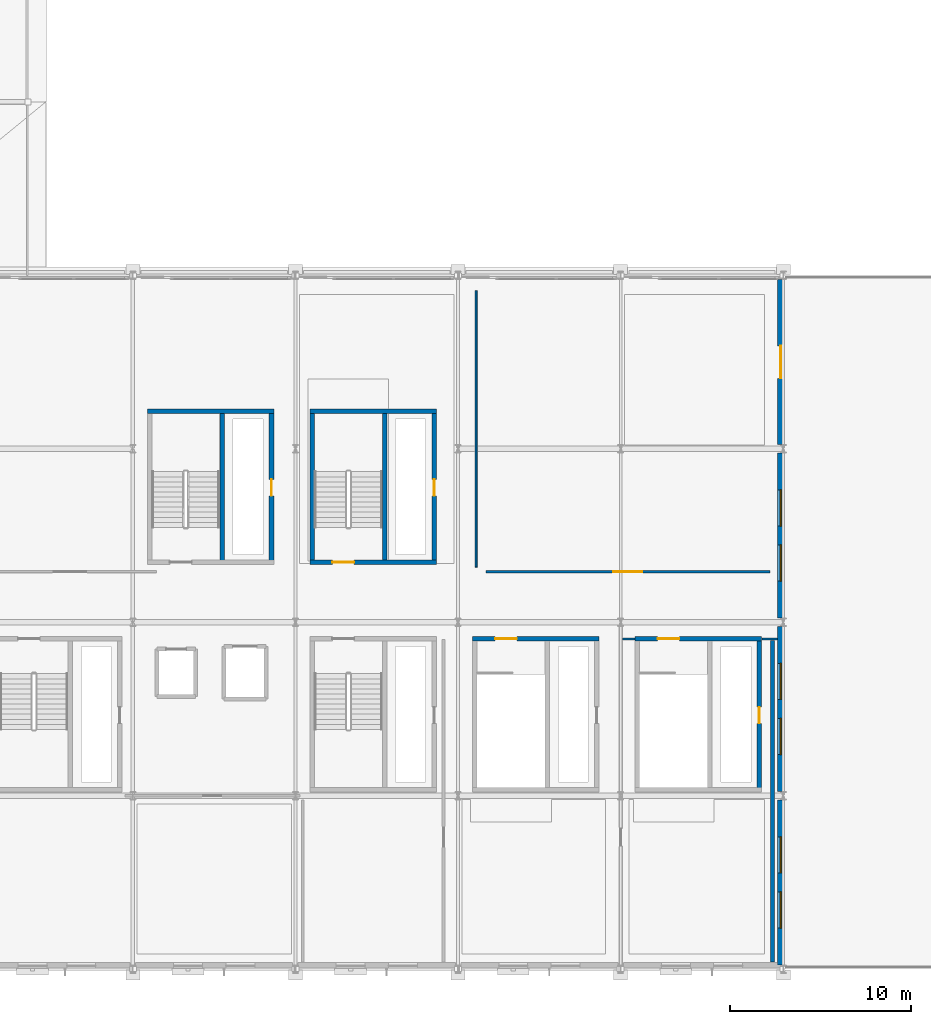
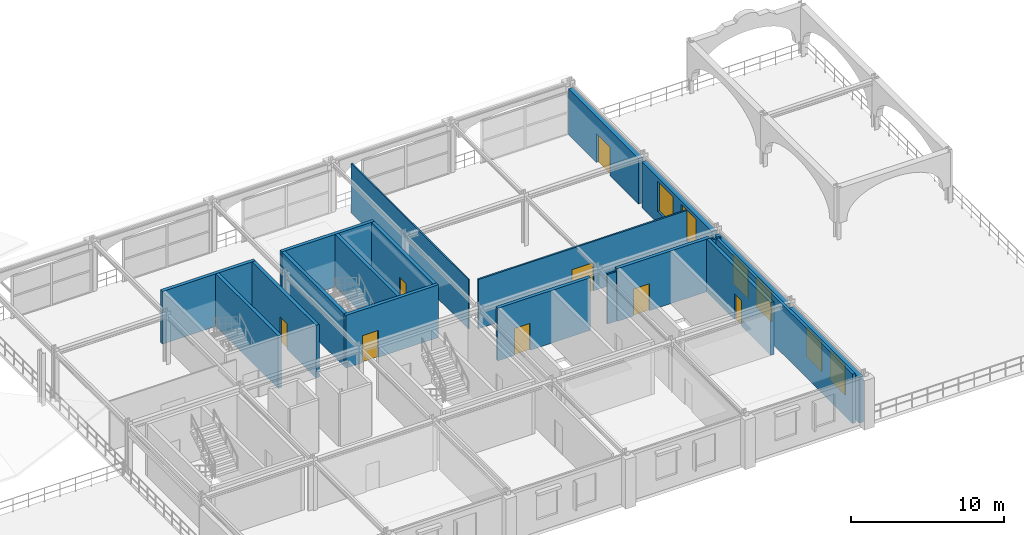
# One storey, part 50 of 81: 20 walls, 8 doors, 6 windows, 14 openings.
"""IFC4 building model written with IfcOpenShell, lengths in metres."""

import ifcopenshell
import ifcopenshell.guid

model = None  # the IFC model being written
_history = None  # IfcOwnerHistory: only IFC2X3 demands one
_inside = {}  # id of a spatial element -> (the spatial element, [elements in it])
_under = {}  # id of a project, library or spatial element -> (it, [spatial elements below it])
_declared = {}  # id of a project -> (the project, [libraries it declares])
_typed = {}  # id of a type object -> (the type object, [elements of that type])
_made_of = {}  # id of a material, layer set ... -> (it, [elements and type objects made of it])


def new_model(schema):
    """Start an empty IFC model of exactly this schema.

    Asked for "IFC4X3", IfcOpenShell would pick the latest addendum, in which some entities
    have other attributes; the version numbers below select the first issue.
    IFC2X3 requires an IfcOwnerHistory on every rooted entity: one is made here for all.
    """
    global model, _history
    if schema == "IFC4X3":
        model = ifcopenshell.file(schema_version=(4, 3, 0, 0))
    else:
        model = ifcopenshell.file(schema=schema)
    _inside.clear()
    _under.clear()
    _declared.clear()
    _typed.clear()
    _made_of.clear()
    _history = None
    if model.schema == "IFC2X3":
        org = make("IfcOrganization", Name="unknown")
        user = make(
            "IfcPersonAndOrganization",
            ThePerson=make("IfcPerson", FamilyName="unknown"),
            TheOrganization=org,
        )
        app = make(
            "IfcApplication",
            ApplicationDeveloper=org,
            Version="unknown",
            ApplicationFullName="unknown",
            ApplicationIdentifier="unknown",
        )
        _history = make(
            "IfcOwnerHistory",
            OwningUser=user,
            OwningApplication=app,
            ChangeAction="ADDED",
            CreationDate=0,
        )
    return model


def make(cls, **values):
    """One entity of the class cls with the attributes given. An attribute that is None is left unset."""
    return model.create_entity(
        cls, **{name: value for name, value in values.items() if value is not None}
    )


def rooted(cls, **values):
    """An entity with a GlobalId (a new one), such as an element, a storey or a relation."""
    return make(cls, GlobalId=ifcopenshell.guid.new(), OwnerHistory=_history, **values)


def si_unit(unit_type, name, prefix=None):
    """IfcSIUnit, for example si_unit("LENGTHUNIT", "METRE", prefix="MILLI")."""
    return make("IfcSIUnit", UnitType=unit_type, Prefix=prefix, Name=name)


def assignment(units):
    """IfcUnitAssignment: the units of a project."""
    return None if units is None else make("IfcUnitAssignment", Units=units)


def point(xyz):
    """IfcCartesianPoint."""
    return None if xyz is None else make("IfcCartesianPoint", Coordinates=xyz)


def direction(xyz):
    """IfcDirection."""
    return None if xyz is None else make("IfcDirection", DirectionRatios=xyz)


def frame(location, z_axis=None, x_axis=None):
    """IfcAxis2Placement3D, a coordinate frame: its origin and axes. An axis left out is left unset."""
    return make(
        "IfcAxis2Placement3D",
        Location=point(location),
        Axis=direction(z_axis),
        RefDirection=direction(x_axis),
    )


def frame_2d(location, x_axis=None):
    """IfcAxis2Placement2D, a coordinate frame in the plane: its origin and x axis."""
    return make(
        "IfcAxis2Placement2D", Location=point(location), RefDirection=direction(x_axis)
    )


def origin():
    """The frame at (0, 0, 0) with its axes left unset."""
    return frame((0.0, 0.0, 0.0))


def place(relative_to, where):
    """IfcLocalPlacement: puts the frame where relative to a parent placement (None: the world)."""
    return make(
        "IfcLocalPlacement", PlacementRelTo=relative_to, RelativePlacement=where
    )


def context(
    kind, dimensions, precision=None, world=None, true_north=None, identifier=None
):
    """IfcGeometricRepresentationContext, for example the 3D "Model" context."""
    return make(
        "IfcGeometricRepresentationContext",
        ContextIdentifier=identifier,
        ContextType=kind,
        CoordinateSpaceDimension=dimensions,
        Precision=precision,
        WorldCoordinateSystem=world,
        TrueNorth=true_north,
    )


def subcontext(parent, identifier, kind, view, scale=None):
    """IfcGeometricRepresentationSubContext, for example "Body" below "Model"."""
    return make(
        "IfcGeometricRepresentationSubContext",
        ContextIdentifier=identifier,
        ContextType=kind,
        ParentContext=parent,
        TargetScale=scale,
        TargetView=view,
    )


def project(units=None, contexts=None):
    """IfcProject with its units and contexts."""
    return rooted(
        "IfcProject",
        Name="project",
        RepresentationContexts=contexts,
        UnitsInContext=assignment(units),
    )


def spatial(cls, under=None, at=None, **own):
    """A site, building, storey or space (cls), placed at a placement, below another one or the project."""
    s = rooted(cls, ObjectPlacement=at, **own)
    if under is not None:
        _under.setdefault(under.id(), (under, []))[1].append(s)
    return s


def profile(cls, at=None, kind="AREA", **sizes):
    """A parametric profile (cls). Its sizes go by their IFC names, for example OverallWidth=200.0."""
    return make(cls, ProfileType=kind, Position=at, **sizes)


def rectangle(**sizes):
    """IfcRectangleProfileDef."""
    return profile("IfcRectangleProfileDef", **sizes)


def extrude(swept, where, along, depth):
    """IfcExtrudedAreaSolid: the profile swept, set in the frame where, extruded along a direction by depth."""
    return make(
        "IfcExtrudedAreaSolid",
        SweptArea=swept,
        Position=where,
        ExtrudedDirection=direction(along),
        Depth=depth,
    )


def shape(context_of_items, identifier, shape_type, items):
    """IfcShapeRepresentation: the items that make up one representation, for example the "Body"."""
    return make(
        "IfcShapeRepresentation",
        ContextOfItems=context_of_items,
        RepresentationIdentifier=identifier,
        RepresentationType=shape_type,
        Items=items,
    )


def material(Name=None, Category=None):
    """IfcMaterial."""
    return make("IfcMaterial", Name=Name, Category=Category)


def layer(
    of_material, thickness, ventilated=None, Name=None, Category=None, Priority=None
):
    """IfcMaterialLayer: one layer of a wall or slab, of a material (None: an air gap)."""
    return make(
        "IfcMaterialLayer",
        Material=of_material,
        LayerThickness=thickness,
        IsVentilated=ventilated,
        Name=Name,
        Category=Category,
        Priority=Priority,
    )


def layer_set(layers, Name=None):
    """IfcMaterialLayerSet."""
    return make("IfcMaterialLayerSet", MaterialLayers=layers, LayerSetName=Name)


def made_of(thing, what):
    """Note that an element or type object is made of a material, layer set ...; save() writes the relation."""
    if what is not None:
        _made_of.setdefault(what.id(), (what, []))[1].append(thing)
    return thing


def type_object(cls, material=None, **own):
    """A type object (cls), such as IfcWallType, which elements share."""
    return made_of(rooted(cls, **own), material)


def element(
    cls,
    number,
    at=None,
    inside=None,
    cuts=None,
    type_object=None,
    material=None,
    context=None,
    identifier="Body",
    shape_type=None,
    held_by="IfcProductDefinitionShape",
    body=None,
    shapes=None,
    **own,
):
    """One element of the class cls, such as IfcWall. Its Tag is "e" and its number.

    at: its placement. inside: the storey or other place that contains it. cuts: it is an
    opening in that element (IfcRelVoidsElement). A single representation is given by context,
    identifier, shape_type and body (its items); several are given by shapes. held_by: the class
    of the entity that holds the representations. save() writes the other relations.
    """
    e = rooted(cls, Tag="e%d" % number, ObjectPlacement=at, **own)
    if body is not None:
        shapes = [shape(context, identifier, shape_type, body)]
    if shapes is not None:
        e.Representation = make(held_by, Representations=shapes)
    if inside is not None:
        _inside.setdefault(inside.id(), (inside, []))[1].append(e)
    if cuts is not None:
        rooted(
            "IfcRelVoidsElement", RelatingBuildingElement=cuts, RelatedOpeningElement=e
        )
    if type_object is not None:
        _typed.setdefault(type_object.id(), (type_object, []))[1].append(e)
    return made_of(e, material)


def fill(opening, filler):
    """IfcRelFillsElement: the door or window that sits in an opening."""
    return rooted(
        "IfcRelFillsElement",
        RelatingOpeningElement=opening,
        RelatedBuildingElement=filler,
    )


def aggregate(whole, parts):
    """IfcRelAggregates: a whole, such as a stair, and the parts it consists of."""
    return rooted("IfcRelAggregates", RelatingObject=whole, RelatedObjects=parts)


def save(model, path):
    """Write the relations noted so far, then the file.

    IfcRelAggregates (storeys below a building ...), IfcRelContainedInSpatialStructure (elements
    in a storey), IfcRelDefinesByType, IfcRelAssociatesMaterial and IfcRelDeclares: one each for
    every whole, place, type object, material and project.
    """
    for whole, parts in _under.values():
        aggregate(whole, parts)
    for where, things in _inside.values():
        rooted(
            "IfcRelContainedInSpatialStructure",
            RelatedElements=things,
            RelatingStructure=where,
        )
    for kind, things in _typed.values():
        rooted("IfcRelDefinesByType", RelatedObjects=things, RelatingType=kind)
    for what, things in _made_of.values():
        rooted("IfcRelAssociatesMaterial", RelatedObjects=things, RelatingMaterial=what)
    for by, libraries in _declared.values():
        rooted("IfcRelDeclares", RelatingContext=by, RelatedDefinitions=libraries)
    model.write(path)


model = new_model("IFC4")

# Units and contexts
model_context = context("Model", 3, precision=1e-05, world=origin(), true_north=direction((0.0, 1.0)))
body_context = subcontext(model_context, "Body", "Model", "MODEL_VIEW")
ifc_project = project(units=[si_unit("LENGTHUNIT", "METRE"), si_unit("AREAUNIT", "SQUARE_METRE"), si_unit("VOLUMEUNIT", "CUBIC_METRE"), si_unit("PLANEANGLEUNIT", "RADIAN"), si_unit("MASSUNIT", "GRAM", prefix="KILO")], contexts=[model_context])

# Site, building, storey
site_placement = place(None, origin())
site = spatial("IfcSite", under=ifc_project, at=site_placement, CompositionType="ELEMENT")
building_placement = place(site_placement, origin())
building = spatial("IfcBuilding", under=site, at=building_placement, Name="Myrtia Square Station", CompositionType="ELEMENT")
storey_placement = place(building_placement, frame((0.0, 0.0, 10.800048828125)))
storey = spatial("IfcBuildingStorey", under=building, at=storey_placement, Name="L02", CompositionType="ELEMENT", Elevation=10.800048828125)

# Wall, opening, door
ifc_material_1 = material(Name="Concrete C35/45", Category="concrete")
ifc_layer_1 = layer(ifc_material_1, 0.25, Name="Concrete C35/45")
ifc_layer_set_1 = layer_set([ifc_layer_1], Name="Concrete C35/45")
wall_type_1 = type_object("IfcWallType", Name="WL-CORE-250", PredefinedType="SHEAR", material=ifc_layer_set_1)
wall_1_placement = place(storey_placement, frame((135.800048828125, 22.52490234375, 0.0), z_axis=(0.0, 0.0, 1.0), x_axis=(1.0, 0.0, 0.0)))
wall_1 = element("IfcWall", 1, at=wall_1_placement, inside=storey, type_object=wall_type_1, Name="Core K9 shear wall L02 S", PredefinedType="SHEAR", context=body_context, shape_type="SweptSolid", body=[
    extrude(rectangle(XDim=7.0, YDim=0.25, at=frame_2d((3.5, 0.0))), origin(), (0.0, 0.0, 1.0), 4.199951171875),
])
opening_1_placement = place(wall_1_placement, frame((1.25, 0.0, 0.0)))
opening_1 = element("IfcOpeningElement", 2, at=opening_1_placement, cuts=wall_1, Name="Opening SD-077", PredefinedType="OPENING", context=body_context, shape_type="SweptSolid", body=[
    extrude(rectangle(XDim=1.199951171875, YDim=2.14990234375, at=frame_2d((0.60009765625, 1.074951171875))), frame((0.0, 0.139892578125, 0.0), z_axis=(0.0, -1.0, 0.0), x_axis=(1.0, 0.0, 0.0)), (0.0, 0.0, 1.0), 0.280029296875),
])
ifc_material_2 = material(Name="Dark bronze anodised aluminium", Category="aluminium")
door_type_1 = type_object("IfcDoorType", Name="DR-STAIR-1200x2150", OperationType="NOTDEFINED", PredefinedType="DOOR", material=ifc_material_2)
door_1_placement = place(opening_1_placement, origin())
door_1 = element("IfcDoor", 3, at=door_1_placement, inside=storey, type_object=door_type_1, Name="Protected stair fire door K9 L02", OperationType="SINGLE_SWING_LEFT", OverallHeight=2.14990234375, OverallWidth=1.199951171875, PredefinedType="DOOR", context=body_context, shape_type="SweptSolid", body=[
    extrude(rectangle(XDim=1.199951171875, YDim=2.14990234375, at=frame_2d((0.60009765625, 1.074951171875))), frame((0.0, 0.02490234375, 0.0), z_axis=(0.0, -1.0, 0.0), x_axis=(1.0, 0.0, 0.0)), (0.0, 0.0, 1.0), 0.050048828125),
])
fill(opening_1, door_1)

# Walls
wall_2_placement = place(storey_placement, frame((135.800048828125, 30.875, 0.0), z_axis=(0.0, 0.0, 1.0), x_axis=(1.0, 0.0, 0.0)))
element("IfcWall", 4, at=wall_2_placement, inside=storey, type_object=wall_type_1, Name="Core K9 shear wall L02 N", PredefinedType="SHEAR", context=body_context, shape_type="SweptSolid", body=[
    extrude(rectangle(XDim=7.0, YDim=0.25, at=frame_2d((3.5, 0.0))), origin(), (0.0, 0.0, 1.0), 4.199951171875),
])
wall_3_placement = place(storey_placement, frame((135.925048828125, 22.39990234375, 0.0), z_axis=(0.0, 0.0, 1.0), x_axis=(0.0, 1.0, 0.0)))
element("IfcWall", 5, at=wall_3_placement, inside=storey, type_object=wall_type_1, Name="Core K9 shear wall L02 W", PredefinedType="SHEAR", context=body_context, shape_type="SweptSolid", body=[
    extrude(rectangle(XDim=8.60009765625, YDim=0.25, at=frame_2d((4.300048828125, 0.0))), origin(), (0.0, 0.0, 1.0), 4.199951171875),
])

# Wall, opening, door
wall_4_placement = place(storey_placement, frame((142.675048828125, 22.39990234375, 0.0), z_axis=(0.0, 0.0, 1.0), x_axis=(0.0, 1.0, 0.0)))
wall_4 = element("IfcWall", 6, at=wall_4_placement, inside=storey, type_object=wall_type_1, Name="Core K9 shear wall L02 E", PredefinedType="SHEAR", context=body_context, shape_type="SweptSolid", body=[
    extrude(rectangle(XDim=8.60009765625, YDim=0.25, at=frame_2d((4.300048828125, 0.0))), origin(), (0.0, 0.0, 1.0), 4.199951171875),
])
opening_2_placement = place(wall_4_placement, frame((3.800048828125, 0.0, 0.0)))
opening_2 = element("IfcOpeningElement", 7, at=opening_2_placement, cuts=wall_4, Name="Opening RD-078", PredefinedType="OPENING", context=body_context, shape_type="SweptSolid", body=[
    extrude(rectangle(XDim=0.89990234375, YDim=2.050048828125, at=frame_2d((0.449951171875, 1.02490234375))), frame((0.0, 0.139892578125, 0.0), z_axis=(0.0, -1.0, 0.0), x_axis=(1.0, 0.0, 0.0)), (0.0, 0.0, 1.0), 0.280029296875),
])
door_type_2 = type_object("IfcDoorType", Name="DR-RISER-900x2050", OperationType="NOTDEFINED", PredefinedType="DOOR", material=ifc_material_2)
door_2_placement = place(opening_2_placement, origin())
door_2 = element("IfcDoor", 8, at=door_2_placement, inside=storey, type_object=door_type_2, Name="Riser cupboard access door K9 L02", OperationType="SINGLE_SWING_RIGHT", OverallHeight=2.050048828125, OverallWidth=0.89990234375, PredefinedType="DOOR", context=body_context, shape_type="SweptSolid", body=[
    extrude(rectangle(XDim=0.89990234375, YDim=2.050048828125, at=frame_2d((0.449951171875, 1.02490234375))), frame((0.0, 0.02490234375, 0.0), z_axis=(0.0, -1.0, 0.0), x_axis=(1.0, 0.0, 0.0)), (0.0, 0.0, 1.0), 0.050048828125),
])
fill(opening_2, door_2)

# Walls
wall_5_placement = place(storey_placement, frame((139.93994140625, 22.60009765625, 0.0), z_axis=(0.0, 0.0, 1.0), x_axis=(0.0, 1.0, 0.0)))
element("IfcWall", 9, at=wall_5_placement, inside=storey, type_object=wall_type_1, Name="Core K9 shear wall L02 D", PredefinedType="SHEAR", context=body_context, shape_type="SweptSolid", body=[
    extrude(rectangle(XDim=8.199951171875, YDim=0.25, at=frame_2d((4.10009765625, 0.0))), origin(), (0.0, 0.0, 1.0), 4.199951171875),
])
wall_6_placement = place(storey_placement, frame((126.800048828125, 30.875, 0.0), z_axis=(0.0, 0.0, 1.0), x_axis=(1.0, 0.0, 0.0)))
element("IfcWall", 10, at=wall_6_placement, inside=storey, type_object=wall_type_1, Name="Core K10 shear wall L02 N", PredefinedType="SHEAR", context=body_context, shape_type="SweptSolid", body=[
    extrude(rectangle(XDim=7.0, YDim=0.25, at=frame_2d((3.5, 0.0))), origin(), (0.0, 0.0, 1.0), 4.199951171875),
])

# Wall, opening, door
wall_7_placement = place(storey_placement, frame((133.675048828125, 22.39990234375, 0.0), z_axis=(0.0, 0.0, 1.0), x_axis=(0.0, 1.0, 0.0)))
wall_7 = element("IfcWall", 11, at=wall_7_placement, inside=storey, type_object=wall_type_1, Name="Core K10 shear wall L02 E", PredefinedType="SHEAR", context=body_context, shape_type="SweptSolid", body=[
    extrude(rectangle(XDim=8.60009765625, YDim=0.25, at=frame_2d((4.300048828125, 0.0))), origin(), (0.0, 0.0, 1.0), 4.199951171875),
])
opening_3_placement = place(wall_7_placement, frame((3.800048828125, 0.0, 0.0)))
opening_3 = element("IfcOpeningElement", 12, at=opening_3_placement, cuts=wall_7, Name="Opening RD-088", PredefinedType="OPENING", context=body_context, shape_type="SweptSolid", body=[
    extrude(rectangle(XDim=0.89990234375, YDim=2.050048828125, at=frame_2d((0.449951171875, 1.02490234375))), frame((0.0, 0.139892578125, 0.0), z_axis=(0.0, -1.0, 0.0), x_axis=(1.0, 0.0, 0.0)), (0.0, 0.0, 1.0), 0.280029296875),
])
door_3_placement = place(opening_3_placement, origin())
door_3 = element("IfcDoor", 13, at=door_3_placement, inside=storey, type_object=door_type_2, Name="Riser cupboard access door K10 L02", OperationType="SINGLE_SWING_RIGHT", OverallHeight=2.050048828125, OverallWidth=0.89990234375, PredefinedType="DOOR", context=body_context, shape_type="SweptSolid", body=[
    extrude(rectangle(XDim=0.89990234375, YDim=2.050048828125, at=frame_2d((0.449951171875, 1.02490234375))), frame((0.0, 0.02490234375, 0.0), z_axis=(0.0, -1.0, 0.0), x_axis=(1.0, 0.0, 0.0)), (0.0, 0.0, 1.0), 0.050048828125),
])
fill(opening_3, door_3)

# Wall
wall_8_placement = place(storey_placement, frame((130.93994140625, 22.60009765625, 0.0), z_axis=(0.0, 0.0, 1.0), x_axis=(0.0, 1.0, 0.0)))
element("IfcWall", 14, at=wall_8_placement, inside=storey, type_object=wall_type_1, Name="Core K10 shear wall L02 D", PredefinedType="SHEAR", context=body_context, shape_type="SweptSolid", body=[
    extrude(rectangle(XDim=8.199951171875, YDim=0.25, at=frame_2d((4.10009765625, 0.0))), origin(), (0.0, 0.0, 1.0), 4.199951171875),
])

# Wall, opening, door
wall_9_placement = place(storey_placement, frame((144.800048828125, 18.27490234375, 0.0), z_axis=(0.0, 0.0, 1.0), x_axis=(1.0, 0.0, 0.0)))
wall_9 = element("IfcWall", 15, at=wall_9_placement, inside=storey, type_object=wall_type_1, Name="Core K11 shear wall L02 N", PredefinedType="SHEAR", context=body_context, shape_type="SweptSolid", body=[
    extrude(rectangle(XDim=7.0, YDim=0.25, at=frame_2d((3.5, 0.0))), origin(), (0.0, 0.0, 1.0), 4.199951171875),
])
opening_4_placement = place(wall_9_placement, frame((1.25, 0.0, 0.0)))
opening_4 = element("IfcOpeningElement", 16, at=opening_4_placement, cuts=wall_9, Name="Opening SD-097", PredefinedType="OPENING", context=body_context, shape_type="SweptSolid", body=[
    extrude(rectangle(XDim=1.199951171875, YDim=2.14990234375, at=frame_2d((0.60009765625, 1.074951171875))), frame((0.0, 0.139892578125, 0.0), z_axis=(0.0, -1.0, 0.0), x_axis=(1.0, 0.0, 0.0)), (0.0, 0.0, 1.0), 0.280029296875),
])
door_4_placement = place(opening_4_placement, frame((1.199951171875, 0.0, 0.0), z_axis=(0.0, 0.0, 1.0), x_axis=(-1.0, 0.0, 0.0)))
door_4 = element("IfcDoor", 17, at=door_4_placement, inside=storey, type_object=door_type_1, Name="Protected stair fire door K11 L02", OperationType="SINGLE_SWING_LEFT", OverallHeight=2.14990234375, OverallWidth=1.199951171875, PredefinedType="DOOR", context=body_context, shape_type="SweptSolid", body=[
    extrude(rectangle(XDim=1.199951171875, YDim=2.14990234375, at=frame_2d((0.60009765625, 1.074951171875))), frame((0.0, 0.02490234375, 0.0), z_axis=(0.0, -1.0, 0.0), x_axis=(1.0, 0.0, 0.0)), (0.0, 0.0, 1.0), 0.050048828125),
])
fill(opening_4, door_4)

wall_10_placement = place(storey_placement, frame((153.800048828125, 18.27490234375, 0.0), z_axis=(0.0, 0.0, 1.0), x_axis=(1.0, 0.0, 0.0)))
wall_10 = element("IfcWall", 18, at=wall_10_placement, inside=storey, type_object=wall_type_1, Name="Core K14 shear wall L02 N", PredefinedType="SHEAR", context=body_context, shape_type="SweptSolid", body=[
    extrude(rectangle(XDim=7.0, YDim=0.25, at=frame_2d((3.5, 0.0))), origin(), (0.0, 0.0, 1.0), 4.199951171875),
])
opening_5_placement = place(wall_10_placement, frame((1.25, 0.0, 0.0)))
opening_5 = element("IfcOpeningElement", 19, at=opening_5_placement, cuts=wall_10, Name="Opening SD-105", PredefinedType="OPENING", context=body_context, shape_type="SweptSolid", body=[
    extrude(rectangle(XDim=1.199951171875, YDim=2.14990234375, at=frame_2d((0.60009765625, 1.074951171875))), frame((0.0, 0.139892578125, 0.0), z_axis=(0.0, -1.0, 0.0), x_axis=(1.0, 0.0, 0.0)), (0.0, 0.0, 1.0), 0.280029296875),
])
door_5_placement = place(opening_5_placement, frame((1.199951171875, 0.0, 0.0), z_axis=(0.0, 0.0, 1.0), x_axis=(-1.0, 0.0, 0.0)))
door_5 = element("IfcDoor", 20, at=door_5_placement, inside=storey, type_object=door_type_1, Name="Protected stair fire door K14 L02", OperationType="SINGLE_SWING_LEFT", OverallHeight=2.14990234375, OverallWidth=1.199951171875, PredefinedType="DOOR", context=body_context, shape_type="SweptSolid", body=[
    extrude(rectangle(XDim=1.199951171875, YDim=2.14990234375, at=frame_2d((0.60009765625, 1.074951171875))), frame((0.0, 0.02490234375, 0.0), z_axis=(0.0, -1.0, 0.0), x_axis=(1.0, 0.0, 0.0)), (0.0, 0.0, 1.0), 0.050048828125),
])
fill(opening_5, door_5)

wall_11_placement = place(storey_placement, frame((160.675048828125, 9.800048828125, 0.0), z_axis=(0.0, 0.0, 1.0), x_axis=(0.0, 1.0, 0.0)))
wall_11 = element("IfcWall", 21, at=wall_11_placement, inside=storey, type_object=wall_type_1, Name="Core K14 shear wall L02 E", PredefinedType="SHEAR", context=body_context, shape_type="SweptSolid", body=[
    extrude(rectangle(XDim=8.599853515625, YDim=0.25, at=frame_2d((4.2998046875, 0.0))), origin(), (0.0, 0.0, 1.0), 4.199951171875),
])
opening_6_placement = place(wall_11_placement, frame((3.800048828125, 0.0, 0.0)))
opening_6 = element("IfcOpeningElement", 22, at=opening_6_placement, cuts=wall_11, Name="Opening RD-106", PredefinedType="OPENING", context=body_context, shape_type="SweptSolid", body=[
    extrude(rectangle(XDim=0.89990234375, YDim=2.050048828125, at=frame_2d((0.449951171875, 1.02490234375))), frame((0.0, 0.139892578125, 0.0), z_axis=(0.0, -1.0, 0.0), x_axis=(1.0, 0.0, 0.0)), (0.0, 0.0, 1.0), 0.280029296875),
])
door_6_placement = place(opening_6_placement, origin())
door_6 = element("IfcDoor", 23, at=door_6_placement, inside=storey, type_object=door_type_2, Name="Riser cupboard access door K14 L02", OperationType="SINGLE_SWING_RIGHT", OverallHeight=2.050048828125, OverallWidth=0.89990234375, PredefinedType="DOOR", context=body_context, shape_type="SweptSolid", body=[
    extrude(rectangle(XDim=0.89990234375, YDim=2.050048828125, at=frame_2d((0.449951171875, 1.02490234375))), frame((0.0, 0.02490234375, 0.0), z_axis=(0.0, -1.0, 0.0), x_axis=(1.0, 0.0, 0.0)), (0.0, 0.0, 1.0), 0.050048828125),
])
fill(opening_6, door_6)

# Wall, openings, windows
ifc_material_3 = material(Name="Cream lime stucco on clay brick masonry", Category="masonry")
ifc_layer_2 = layer(ifc_material_3, 0.340087890625, Name="Cream lime stucco on clay brick masonry")
ifc_layer_set_2 = layer_set([ifc_layer_2], Name="Cream lime stucco on clay brick masonry")
wall_type_2 = type_object("IfcWallType", Name="WL-EXT-STUCCO-340", PredefinedType="SOLIDWALL", material=ifc_layer_set_2)
wall_12_placement = place(storey_placement, frame((161.85009765625, 0.22509765625, 0.0), z_axis=(0.0, 0.0, 1.0), x_axis=(0.0, 1.0, 0.0)))
wall_12 = element("IfcWall", 24, at=wall_12_placement, inside=storey, type_object=wall_type_2, Name="Exterior envelope wall EW-L02-0073", PredefinedType="SOLIDWALL", context=body_context, shape_type="SweptSolid", body=[
    extrude(rectangle(XDim=9.14990234375, YDim=0.340087890625, at=frame_2d((4.574951171875, 0.0))), origin(), (0.0, 0.0, 1.0), 3.64501953125),
])
opening_7_placement = place(wall_12_placement, frame((2.050048828125, 0.0, 0.949951171875)))
opening_7 = element("IfcOpeningElement", 25, at=opening_7_placement, cuts=wall_12, Name="Opening WN-073", PredefinedType="OPENING", context=body_context, shape_type="SweptSolid", body=[
    extrude(rectangle(XDim=2.0, YDim=2.39990234375, at=frame_2d((1.0, 1.199951171875))), frame((0.0, 0.18505859375, 0.0), z_axis=(0.0, -1.0, 0.0), x_axis=(1.0, 0.0, 0.0)), (0.0, 0.0, 1.0), 0.3701171875),
])
opening_8_placement = place(wall_12_placement, frame((5.10009765625, 0.0, 0.949951171875)))
opening_8 = element("IfcOpeningElement", 26, at=opening_8_placement, cuts=wall_12, Name="Opening WN-074", PredefinedType="OPENING", context=body_context, shape_type="SweptSolid", body=[
    extrude(rectangle(XDim=2.0, YDim=2.39990234375, at=frame_2d((1.0, 1.199951171875))), frame((0.0, 0.18505859375, 0.0), z_axis=(0.0, -1.0, 0.0), x_axis=(1.0, 0.0, 0.0)), (0.0, 0.0, 1.0), 0.3701171875),
])
ifc_material_4 = material(Name="Tinted low-E solar control glass", Category="glass")
window_type = type_object("IfcWindowType", Name="WN-PAIR-2000x2400", PartitioningType="SINGLE_PANEL", PredefinedType="WINDOW", material=ifc_material_4)
window_1_placement = place(opening_7_placement, origin())
window_1 = element("IfcWindow", 27, at=window_1_placement, inside=storey, type_object=window_type, Name="Window WN-073", OverallHeight=2.39990234375, OverallWidth=2.0, PartitioningType="SINGLE_PANEL", PredefinedType="WINDOW", context=body_context, shape_type="SweptSolid", body=[
    extrude(rectangle(XDim=2.0, YDim=2.39990234375, at=frame_2d((1.0, 1.199951171875))), frame((0.0, 0.030029296875, 0.0), z_axis=(0.0, -1.0, 0.0), x_axis=(1.0, 0.0, 0.0)), (0.0, 0.0, 1.0), 0.06005859375),
])
fill(opening_7, window_1)
window_2_placement = place(opening_8_placement, origin())
window_2 = element("IfcWindow", 28, at=window_2_placement, inside=storey, type_object=window_type, Name="Window WN-074", OverallHeight=2.39990234375, OverallWidth=2.0, PartitioningType="SINGLE_PANEL", PredefinedType="WINDOW", context=body_context, shape_type="SweptSolid", body=[
    extrude(rectangle(XDim=2.0, YDim=2.39990234375, at=frame_2d((1.0, 1.199951171875))), frame((0.0, 0.030029296875, 0.0), z_axis=(0.0, -1.0, 0.0), x_axis=(1.0, 0.0, 0.0)), (0.0, 0.0, 1.0), 0.06005859375),
])
fill(opening_8, window_2)

wall_13_placement = place(storey_placement, frame((161.85009765625, 9.824951171875, 0.0), z_axis=(0.0, 0.0, 1.0), x_axis=(0.0, 1.0, 0.0)))
wall_13 = element("IfcWall", 29, at=wall_13_placement, inside=storey, type_object=wall_type_2, Name="Exterior envelope wall EW-L02-0074", PredefinedType="SOLIDWALL", context=body_context, shape_type="SweptSolid", body=[
    extrude(rectangle(XDim=9.150146484375, YDim=0.340087890625, at=frame_2d((4.5751953125, 0.0))), origin(), (0.0, 0.0, 1.0), 3.64501953125),
])
opening_9_placement = place(wall_13_placement, frame((2.050048828125, 0.0, 0.949951171875)))
opening_9 = element("IfcOpeningElement", 30, at=opening_9_placement, cuts=wall_13, Name="Opening WN-075", PredefinedType="OPENING", context=body_context, shape_type="SweptSolid", body=[
    extrude(rectangle(XDim=2.0, YDim=2.39990234375, at=frame_2d((1.0, 1.199951171875))), frame((0.0, 0.18505859375, 0.0), z_axis=(0.0, -1.0, 0.0), x_axis=(1.0, 0.0, 0.0)), (0.0, 0.0, 1.0), 0.3701171875),
])
opening_10_placement = place(wall_13_placement, frame((5.10009765625, 0.0, 0.949951171875)))
opening_10 = element("IfcOpeningElement", 31, at=opening_10_placement, cuts=wall_13, Name="Opening WN-076", PredefinedType="OPENING", context=body_context, shape_type="SweptSolid", body=[
    extrude(rectangle(XDim=2.0, YDim=2.39990234375, at=frame_2d((1.0, 1.199951171875))), frame((0.0, 0.18505859375, 0.0), z_axis=(0.0, -1.0, 0.0), x_axis=(1.0, 0.0, 0.0)), (0.0, 0.0, 1.0), 0.3701171875),
])
window_3_placement = place(opening_9_placement, origin())
window_3 = element("IfcWindow", 32, at=window_3_placement, inside=storey, type_object=window_type, Name="Window WN-075", OverallHeight=2.39990234375, OverallWidth=2.0, PartitioningType="SINGLE_PANEL", PredefinedType="WINDOW", context=body_context, shape_type="SweptSolid", body=[
    extrude(rectangle(XDim=2.0, YDim=2.39990234375, at=frame_2d((1.0, 1.199951171875))), frame((0.0, 0.030029296875, 0.0), z_axis=(0.0, -1.0, 0.0), x_axis=(1.0, 0.0, 0.0)), (0.0, 0.0, 1.0), 0.06005859375),
])
fill(opening_9, window_3)
window_4_placement = place(opening_10_placement, origin())
window_4 = element("IfcWindow", 33, at=window_4_placement, inside=storey, type_object=window_type, Name="Window WN-076", OverallHeight=2.39990234375, OverallWidth=2.0, PartitioningType="SINGLE_PANEL", PredefinedType="WINDOW", context=body_context, shape_type="SweptSolid", body=[
    extrude(rectangle(XDim=2.0, YDim=2.39990234375, at=frame_2d((1.0, 1.199951171875))), frame((0.0, 0.030029296875, 0.0), z_axis=(0.0, -1.0, 0.0), x_axis=(1.0, 0.0, 0.0)), (0.0, 0.0, 1.0), 0.06005859375),
])
fill(opening_10, window_4)

wall_14_placement = place(storey_placement, frame((161.85009765625, 19.425048828125, 0.0), z_axis=(0.0, 0.0, 1.0), x_axis=(0.0, 1.0, 0.0)))
wall_14 = element("IfcWall", 34, at=wall_14_placement, inside=storey, type_object=wall_type_2, Name="Exterior envelope wall EW-L02-0075", PredefinedType="SOLIDWALL", context=body_context, shape_type="SweptSolid", body=[
    extrude(rectangle(XDim=9.14990234375, YDim=0.340087890625, at=frame_2d((4.574951171875, 0.0))), origin(), (0.0, 0.0, 1.0), 3.64501953125),
])
opening_11_placement = place(wall_14_placement, frame((2.050048828125, 0.0, 0.949951171875)))
opening_11 = element("IfcOpeningElement", 35, at=opening_11_placement, cuts=wall_14, Name="Opening WN-077", PredefinedType="OPENING", context=body_context, shape_type="SweptSolid", body=[
    extrude(rectangle(XDim=2.0, YDim=2.39990234375, at=frame_2d((1.0, 1.199951171875))), frame((0.0, 0.18505859375, 0.0), z_axis=(0.0, -1.0, 0.0), x_axis=(1.0, 0.0, 0.0)), (0.0, 0.0, 1.0), 0.3701171875),
])
opening_12_placement = place(wall_14_placement, frame((5.10009765625, 0.0, 0.949951171875)))
opening_12 = element("IfcOpeningElement", 36, at=opening_12_placement, cuts=wall_14, Name="Opening WN-078", PredefinedType="OPENING", context=body_context, shape_type="SweptSolid", body=[
    extrude(rectangle(XDim=2.0, YDim=2.39990234375, at=frame_2d((1.0, 1.199951171875))), frame((0.0, 0.18505859375, 0.0), z_axis=(0.0, -1.0, 0.0), x_axis=(1.0, 0.0, 0.0)), (0.0, 0.0, 1.0), 0.3701171875),
])
window_5_placement = place(opening_11_placement, origin())
window_5 = element("IfcWindow", 37, at=window_5_placement, inside=storey, type_object=window_type, Name="Window WN-077", OverallHeight=2.39990234375, OverallWidth=2.0, PartitioningType="SINGLE_PANEL", PredefinedType="WINDOW", context=body_context, shape_type="SweptSolid", body=[
    extrude(rectangle(XDim=2.0, YDim=2.39990234375, at=frame_2d((1.0, 1.199951171875))), frame((0.0, 0.030029296875, 0.0), z_axis=(0.0, -1.0, 0.0), x_axis=(1.0, 0.0, 0.0)), (0.0, 0.0, 1.0), 0.06005859375),
])
fill(opening_11, window_5)
window_6_placement = place(opening_12_placement, origin())
window_6 = element("IfcWindow", 38, at=window_6_placement, inside=storey, type_object=window_type, Name="Window WN-078", OverallHeight=2.39990234375, OverallWidth=2.0, PartitioningType="SINGLE_PANEL", PredefinedType="WINDOW", context=body_context, shape_type="SweptSolid", body=[
    extrude(rectangle(XDim=2.0, YDim=2.39990234375, at=frame_2d((1.0, 1.199951171875))), frame((0.0, 0.030029296875, 0.0), z_axis=(0.0, -1.0, 0.0), x_axis=(1.0, 0.0, 0.0)), (0.0, 0.0, 1.0), 0.06005859375),
])
fill(opening_12, window_6)

# Wall, opening, door
wall_15_placement = place(storey_placement, frame((161.85009765625, 29.02490234375, 0.0), z_axis=(0.0, 0.0, 1.0), x_axis=(0.0, 1.0, 0.0)))
wall_15 = element("IfcWall", 39, at=wall_15_placement, inside=storey, type_object=wall_type_2, Name="Exterior envelope wall EW-L02-0076", PredefinedType="SOLIDWALL", context=body_context, shape_type="SweptSolid", body=[
    extrude(rectangle(XDim=9.150146484375, YDim=0.340087890625, at=frame_2d((4.5751953125, 0.0))), origin(), (0.0, 0.0, 1.0), 3.64501953125),
])
opening_13_placement = place(wall_15_placement, frame((3.675048828125, 0.0, 0.0)))
opening_13 = element("IfcOpeningElement", 40, at=opening_13_placement, cuts=wall_15, Name="Opening ED-031", PredefinedType="OPENING", context=body_context, shape_type="SweptSolid", body=[
    extrude(rectangle(XDim=1.800048828125, YDim=2.300048828125, at=frame_2d((0.89990234375, 1.14990234375))), frame((0.0, 0.18505859375, 0.0), z_axis=(0.0, -1.0, 0.0), x_axis=(1.0, 0.0, 0.0)), (0.0, 0.0, 1.0), 0.3701171875),
])
door_type_3 = type_object("IfcDoorType", Name="DR-TER-1800x2300", OperationType="NOTDEFINED", PredefinedType="DOOR", material=ifc_material_2)
door_7_placement = place(opening_13_placement, frame((1.800048828125, 0.0, 0.0), z_axis=(0.0, 0.0, 1.0), x_axis=(-1.0, 0.0, 0.0)))
door_7 = element("IfcDoor", 41, at=door_7_placement, inside=storey, type_object=door_type_3, Name="Roof garden terrace door ED-031", OperationType="DOUBLE_DOOR_SINGLE_SWING", OverallHeight=2.300048828125, OverallWidth=1.800048828125, PredefinedType="DOOR", context=body_context, shape_type="SweptSolid", body=[
    extrude(rectangle(XDim=1.800048828125, YDim=2.300048828125, at=frame_2d((0.89990234375, 1.14990234375))), frame((0.0, 0.02490234375, 0.0), z_axis=(0.0, -1.0, 0.0), x_axis=(1.0, 0.0, 0.0)), (0.0, 0.0, 1.0), 0.050048828125),
])
fill(opening_13, door_7)

# Wall
ifc_material_5 = material(Name="Gypsum plasterboard")
ifc_layer_3 = layer(ifc_material_5, 0.10009765625, Name="Gypsum plasterboard")
ifc_layer_set_3 = layer_set([ifc_layer_3], Name="Gypsum plasterboard")
wall_type_3 = type_object("IfcWallType", Name="WL-PART-100", PredefinedType="PARTITIONING", material=ifc_layer_set_3)
wall_16_placement = place(storey_placement, frame((145.0, 22.25, 0.0), z_axis=(0.0, 0.0, 1.0), x_axis=(0.0, 1.0, 0.0)))
element("IfcWall", 42, at=wall_16_placement, inside=storey, type_object=wall_type_3, Name="Room divider partition L02-06", PredefinedType="PARTITIONING", context=body_context, shape_type="SweptSolid", body=[
    extrude(rectangle(XDim=15.300048828125, YDim=0.10009765625, at=frame_2d((7.64990234375, 0.0))), origin(), (0.0, 0.0, 1.0), 3.93994140625),
])

# Wall, opening, door
ifc_layer_4 = layer(ifc_material_5, 0.125, Name="Gypsum plasterboard")
ifc_layer_set_4 = layer_set([ifc_layer_4], Name="Gypsum plasterboard")
wall_type_4 = type_object("IfcWallType", Name="WL-PART-125", PredefinedType="PARTITIONING", material=ifc_layer_set_4)
wall_17_placement = place(storey_placement, frame((145.550048828125, 22.0, 0.0), z_axis=(0.0, 0.0, 1.0), x_axis=(1.0, 0.0, 0.0)))
wall_17 = element("IfcWall", 43, at=wall_17_placement, inside=storey, type_object=wall_type_4, Name="Interior partition wall L02-07", PredefinedType="PARTITIONING", context=body_context, shape_type="SweptSolid", body=[
    extrude(rectangle(XDim=15.699951171875, YDim=0.125, at=frame_2d((7.85009765625, 0.0))), origin(), (0.0, 0.0, 1.0), 3.93994140625),
])
opening_14_placement = place(wall_17_placement, frame((7.050048828125, 0.0, 0.0)))
opening_14 = element("IfcOpeningElement", 44, at=opening_14_placement, cuts=wall_17, Name="Opening D-257", PredefinedType="OPENING", context=body_context, shape_type="SweptSolid", body=[
    extrude(rectangle(XDim=1.60009765625, YDim=2.25, at=frame_2d((0.800048828125, 1.125))), frame((0.0, 0.077392578125, 0.0), z_axis=(0.0, -1.0, 0.0), x_axis=(1.0, 0.0, 0.0)), (0.0, 0.0, 1.0), 0.155029296875),
])
door_type_4 = type_object("IfcDoorType", Name="DR-CORR-1600x2250", OperationType="NOTDEFINED", PredefinedType="DOOR", material=ifc_material_2)
door_8_placement = place(opening_14_placement, frame((1.60009765625, 0.0, 0.0), z_axis=(0.0, 0.0, 1.0), x_axis=(-1.0, 0.0, 0.0)))
door_8 = element("IfcDoor", 45, at=door_8_placement, inside=storey, type_object=door_type_4, Name="Square-View Dining Cafe door D-257", OperationType="DOUBLE_DOOR_SINGLE_SWING", OverallHeight=2.25, OverallWidth=1.60009765625, PredefinedType="DOOR", context=body_context, shape_type="SweptSolid", body=[
    extrude(rectangle(XDim=1.60009765625, YDim=2.25, at=frame_2d((0.800048828125, 1.125))), frame((0.0, 0.02490234375, 0.0), z_axis=(0.0, -1.0, 0.0), x_axis=(1.0, 0.0, 0.0)), (0.0, 0.0, 1.0), 0.050048828125),
])
fill(opening_14, door_8)

# Walls
wall_18_placement = place(storey_placement, frame((153.110107421875, 18.27001953125, 0.0), z_axis=(0.0, 0.0, 1.0), x_axis=(1.0, 0.0, 0.0)))
element("IfcWall", 46, at=wall_18_placement, inside=storey, type_object=wall_type_4, Name="Sanitary enclosure partition L02-10", PredefinedType="PARTITIONING", context=body_context, shape_type="SweptSolid", body=[
    extrude(rectangle(XDim=0.679931640625, YDim=0.125, at=frame_2d((0.33984375, 0.0))), origin(), (0.0, 0.0, 1.0), 3.93994140625),
])
wall_19_placement = place(storey_placement, frame((160.81005859375, 18.27001953125, 0.0), z_axis=(0.0, 0.0, 1.0), x_axis=(1.0, 0.0, 0.0)))
element("IfcWall", 47, at=wall_19_placement, inside=storey, type_object=wall_type_4, Name="Sanitary enclosure partition L02-10", PredefinedType="PARTITIONING", context=body_context, shape_type="SweptSolid", body=[
    extrude(rectangle(XDim=0.85986328125, YDim=0.125, at=frame_2d((0.429931640625, 0.0))), origin(), (0.0, 0.0, 1.0), 3.93994140625),
])
ifc_layer_5 = layer(ifc_material_3, 0.199951171875, Name="Cream lime stucco on clay brick masonry")
ifc_layer_set_5 = layer_set([ifc_layer_5], Name="Cream lime stucco on clay brick masonry")
wall_type_5 = type_object("IfcWallType", Name="WL-PART-200", PredefinedType="PARTITIONING", material=ifc_layer_set_5)
wall_20_placement = place(storey_placement, frame((161.39990234375, 0.385009765625, 0.0), z_axis=(0.0, 0.0, 1.0), x_axis=(0.0, 1.0, 0.0)))
element("IfcWall", 48, at=wall_20_placement, inside=storey, type_object=wall_type_5, Name="Room divider partition L02-10", PredefinedType="PARTITIONING", context=body_context, shape_type="SweptSolid", body=[
    extrude(rectangle(XDim=17.81494140625, YDim=0.199951171875, at=frame_2d((8.907470703125, 0.0))), origin(), (0.0, 0.0, 1.0), 3.93994140625),
])

save(model, "model.ifc")
